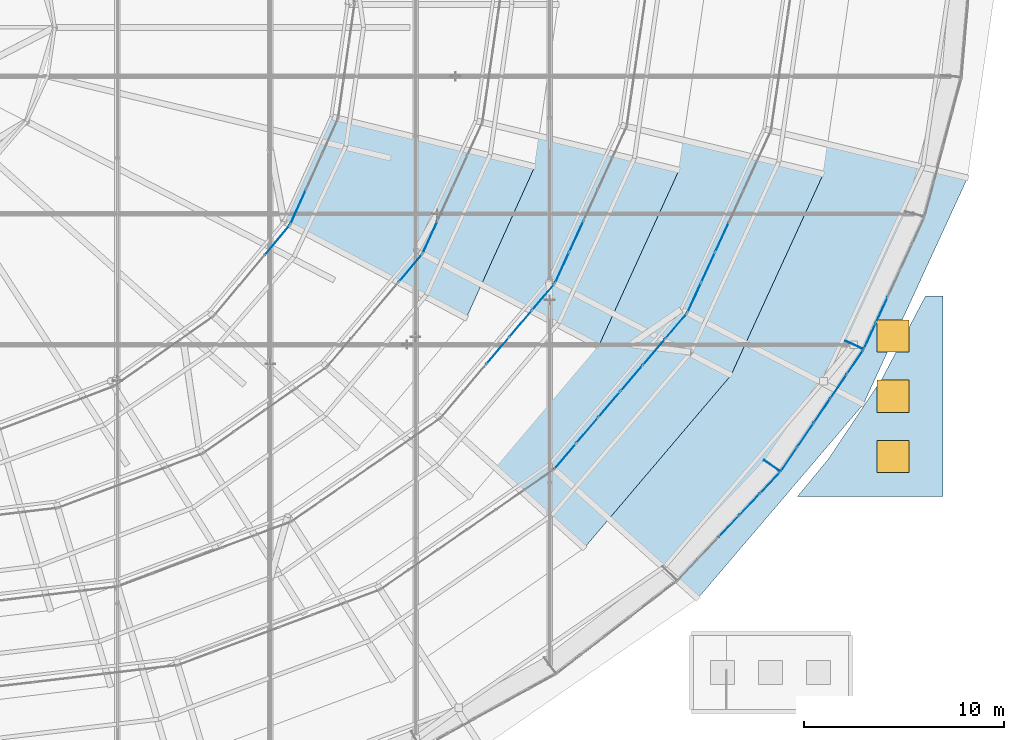
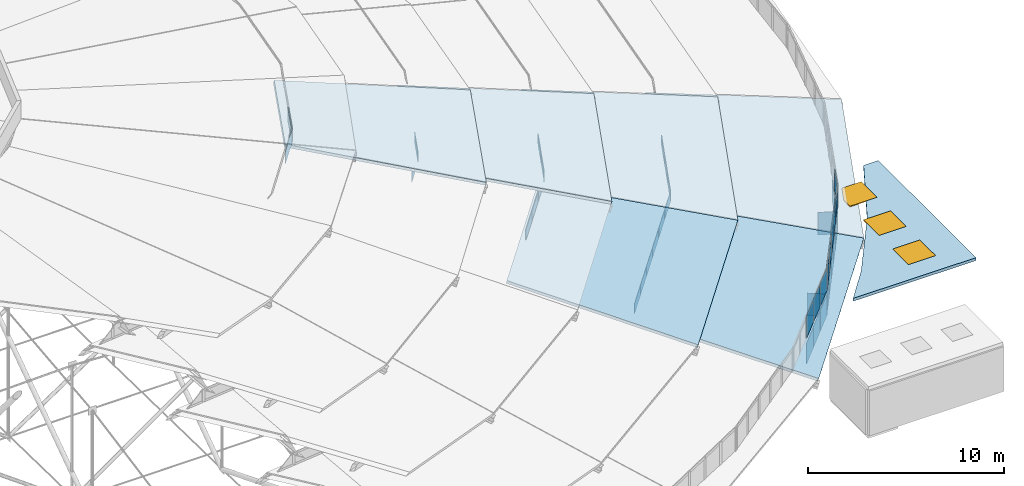
"""IFC4 building model written with IfcOpenShell, lengths in metres."""

from ifc_helpers import new_model, si_unit, direction, frame, origin, origin_2d, place, context, subcontext, project, spatial, polyline, rectangle, outline, extrude, material, layer, layer_set, type_object, element, fill, aggregate, save


model = new_model("IFC4")

# Units and contexts
model_context = context("Model", 3, precision=1e-05, world=origin(), true_north=direction((0.0, 1.0)))
body_context = subcontext(model_context, "Body", "Model", "MODEL_VIEW")
ifc_project = project(units=[si_unit("LENGTHUNIT", "METRE"), si_unit("AREAUNIT", "SQUARE_METRE"), si_unit("VOLUMEUNIT", "CUBIC_METRE"), si_unit("PLANEANGLEUNIT", "RADIAN"), si_unit("MASSUNIT", "GRAM", prefix="KILO")], contexts=[model_context])

# Site, building, storey
site_placement = place(None, origin())
site = spatial("IfcSite", under=ifc_project, at=site_placement, CompositionType="ELEMENT")
building_placement = place(site_placement, origin())
building = spatial("IfcBuilding", under=site, at=building_placement, Name="Glasvene Arena", CompositionType="ELEMENT")
storey_1_placement = place(building_placement, frame((0.0, 0.0, 28.800048828125)))
storey_1 = spatial("IfcBuildingStorey", under=building, at=storey_1_placement, Name="RF", CompositionType="ELEMENT", Elevation=28.800048828125)

# Curtain wall, plates
ifc_material_1 = material(Name="Low-emissivity laminated double glazing", Category="glass")
curtain_wall_type_1 = type_object("IfcCurtainWallType", Name="CW-PET1-1026x75", PredefinedType="USERDEFINED", material=ifc_material_1)
curtain_wall_1_placement = place(storey_1_placement, frame((121.59228515625, 46.342041015625, 0.0)))
curtain_wall_1 = element("IfcCurtainWall", 1, at=curtain_wall_1_placement, inside=storey_1, type_object=curtain_wall_type_1, Name="Petal ring 1-2 clerestory curtain wall 22", ObjectType="CURTAIN WALL", PredefinedType="USERDEFINED")
ifc_layer_1 = layer(ifc_material_1, 0.028076171875)
ifc_layer_set_1 = layer_set([ifc_layer_1], Name="Low-emissivity laminated double glazing")
plate_type_1 = type_object("IfcPlateType", Name="CW-GLZ-28", PredefinedType="CURTAIN_PANEL", material=ifc_layer_set_1)
plate_1_placement = place(storey_1_placement, frame((122.15478515625, 47.002197265625, 2.6298828125), z_axis=(0.0, 0.0, 1.0), x_axis=(0.648445320272, 0.761261234149, 0.0)))
plate_1 = element("IfcPlate", 2, at=plate_1_placement, type_object=plate_type_1, Name="CW-083 panel 1.1", PredefinedType="CURTAIN_PANEL", context=body_context, shape_type="SweptSolid", body=[
    extrude(rectangle(XDim=1.634521484375, YDim=0.028076171875, at=origin_2d()), origin(), (0.0, 0.0, 1.0), 0.64990234375),
])
plate_2_placement = place(storey_1_placement, frame((123.255126953125, 48.294189453125, 2.6298828125), z_axis=(0.0, 0.0, 1.0), x_axis=(0.648445320272, 0.761261234149, 0.0)))
plate_2 = element("IfcPlate", 3, at=plate_2_placement, type_object=plate_type_1, Name="CW-083 panel 2.1", PredefinedType="CURTAIN_PANEL", context=body_context, shape_type="SweptSolid", body=[
    extrude(rectangle(XDim=1.659423828125, YDim=0.028076171875, at=origin_2d()), origin(), (0.0, 0.0, 1.0), 0.64990234375),
])
plate_3_placement = place(storey_1_placement, frame((124.363525390625, 49.595458984375, 2.6298828125), z_axis=(0.0, 0.0, 1.0), x_axis=(0.648445320272, 0.761261234149, 0.0)))
plate_3 = element("IfcPlate", 4, at=plate_3_placement, type_object=plate_type_1, Name="CW-083 panel 3.1", PredefinedType="CURTAIN_PANEL", context=body_context, shape_type="SweptSolid", body=[
    extrude(rectangle(XDim=1.659423828125, YDim=0.028076171875, at=origin_2d()), origin(), (0.0, 0.0, 1.0), 0.64990234375),
])
plate_4_placement = place(storey_1_placement, frame((125.471923828125, 50.896728515625, 2.6298828125), z_axis=(0.0, 0.0, 1.0), x_axis=(0.648445320272, 0.761261234149, 0.0)))
plate_4 = element("IfcPlate", 5, at=plate_4_placement, type_object=plate_type_1, Name="CW-083 panel 4.1", PredefinedType="CURTAIN_PANEL", context=body_context, shape_type="SweptSolid", body=[
    extrude(rectangle(XDim=1.659423828125, YDim=0.028076171875, at=origin_2d()), origin(), (0.0, 0.0, 1.0), 0.64990234375),
])
plate_5_placement = place(storey_1_placement, frame((126.58056640625, 52.197998046875, 2.6298828125), z_axis=(0.0, 0.0, 1.0), x_axis=(0.648445320272, 0.761261234149, 0.0)))
plate_5 = element("IfcPlate", 6, at=plate_5_placement, type_object=plate_type_1, Name="CW-083 panel 5.1", PredefinedType="CURTAIN_PANEL", context=body_context, shape_type="SweptSolid", body=[
    extrude(rectangle(XDim=1.659423828125, YDim=0.028076171875, at=origin_2d()), origin(), (0.0, 0.0, 1.0), 0.64990234375),
])
plate_6_placement = place(storey_1_placement, frame((127.680908203125, 53.48974609375, 2.6298828125), z_axis=(0.0, 0.0, 1.0), x_axis=(0.648445320272, 0.761261234149, 0.0)))
plate_6 = element("IfcPlate", 7, at=plate_6_placement, type_object=plate_type_1, Name="CW-083 panel 6.1", PredefinedType="CURTAIN_PANEL", context=body_context, shape_type="SweptSolid", body=[
    extrude(rectangle(XDim=1.634521484375, YDim=0.028076171875, at=origin_2d()), origin(), (0.0, 0.0, 1.0), 0.64990234375),
])
aggregate(curtain_wall_1, [plate_1, plate_2, plate_3, plate_4, plate_5, plate_6])

curtain_wall_type_2 = type_object("IfcCurtainWallType", Name="CW-PET1-1001x75", PredefinedType="USERDEFINED", material=ifc_material_1)
curtain_wall_2_placement = place(storey_1_placement, frame((128.2431640625, 54.14990234375, 0.0)))
curtain_wall_2 = element("IfcCurtainWall", 8, at=curtain_wall_2_placement, inside=storey_1, type_object=curtain_wall_type_2, Name="Petal ring 1-2 clerestory curtain wall 23", ObjectType="CURTAIN WALL", PredefinedType="USERDEFINED")
plate_7_placement = place(storey_1_placement, frame((128.596923828125, 54.9189453125, 2.6298828125), z_axis=(0.0, 0.0, 1.0), x_axis=(0.41776127596, 0.908556831634, 0.0)))
plate_7 = element("IfcPlate", 9, at=plate_7_placement, type_object=plate_type_1, Name="CW-082 panel 1.1", PredefinedType="CURTAIN_PANEL", context=body_context, shape_type="SweptSolid", body=[
    extrude(rectangle(XDim=1.593017578125, YDim=0.028076171875, at=origin_2d()), origin(), (0.0, 0.0, 1.0), 0.64990234375),
])
plate_8_placement = place(storey_1_placement, frame((129.288330078125, 56.423095703125, 2.6298828125), z_axis=(0.0, 0.0, 1.0), x_axis=(0.41776127596, 0.908556831634, 0.0)))
plate_8 = element("IfcPlate", 10, at=plate_8_placement, type_object=plate_type_1, Name="CW-082 panel 2.1", PredefinedType="CURTAIN_PANEL", context=body_context, shape_type="SweptSolid", body=[
    extrude(rectangle(XDim=1.617919921875, YDim=0.028076171875, at=origin_2d()), origin(), (0.0, 0.0, 1.0), 0.64990234375),
])
plate_9_placement = place(storey_1_placement, frame((129.985107421875, 57.9384765625, 2.6298828125), z_axis=(0.0, 0.0, 1.0), x_axis=(0.41776127596, 0.908556831634, 0.0)))
plate_9 = element("IfcPlate", 11, at=plate_9_placement, type_object=plate_type_1, Name="CW-082 panel 3.1", PredefinedType="CURTAIN_PANEL", context=body_context, shape_type="SweptSolid", body=[
    extrude(rectangle(XDim=1.617919921875, YDim=0.028076171875, at=origin_2d()), origin(), (0.0, 0.0, 1.0), 0.64990234375),
])
aggregate(curtain_wall_2, [plate_7, plate_8, plate_9])

curtain_wall_type_3 = type_object("IfcCurtainWallType", Name="CW-PET2-882x75", PredefinedType="USERDEFINED", material=ifc_material_1)
curtain_wall_3_placement = place(storey_1_placement, frame((115.93505859375, 48.904296875, 0.0)))
curtain_wall_3 = element("IfcCurtainWall", 12, at=curtain_wall_3_placement, inside=storey_1, type_object=curtain_wall_type_3, Name="Petal ring 2-3 clerestory curtain wall 22", ObjectType="CURTAIN WALL", PredefinedType="USERDEFINED")
plate_10_placement = place(storey_1_placement, frame((118.78759765625, 52.2646484375, 5.22998046875), z_axis=(0.0, 0.0, 1.0), x_axis=(0.647166893632, 0.762348353305, 0.0)))
plate_10 = element("IfcPlate", 13, at=plate_10_placement, type_object=plate_type_1, Name="CW-089 panel 3.1", PredefinedType="CURTAIN_PANEL", context=body_context, shape_type="SweptSolid", body=[
    extrude(rectangle(XDim=1.713134765625, YDim=0.028076171875, at=origin_2d()), origin(), (0.0, 0.0, 1.0), 0.64990234375),
])
plate_11_placement = place(storey_1_placement, frame((119.9287109375, 53.60888671875, 5.22998046875), z_axis=(0.0, 0.0, 1.0), x_axis=(0.647166893632, 0.762348353305, 0.0)))
plate_11 = element("IfcPlate", 14, at=plate_11_placement, type_object=plate_type_1, Name="CW-089 panel 4.1", PredefinedType="CURTAIN_PANEL", context=body_context, shape_type="SweptSolid", body=[
    extrude(rectangle(XDim=1.713134765625, YDim=0.028076171875, at=origin_2d()), origin(), (0.0, 0.0, 1.0), 0.64990234375),
])
plate_12_placement = place(storey_1_placement, frame((121.061767578125, 54.943359375, 5.22998046875), z_axis=(0.0, 0.0, 1.0), x_axis=(0.647166893632, 0.762348353305, 0.0)))
plate_12 = element("IfcPlate", 15, at=plate_12_placement, type_object=plate_type_1, Name="CW-089 panel 5.1", PredefinedType="CURTAIN_PANEL", context=body_context, shape_type="SweptSolid", body=[
    extrude(rectangle(XDim=1.688232421875, YDim=0.028076171875, at=origin_2d()), origin(), (0.0, 0.0, 1.0), 0.64990234375),
])
aggregate(curtain_wall_3, [plate_10, plate_11, plate_12])

curtain_wall_type_4 = type_object("IfcCurtainWallType", Name="CW-PET2-861x75", PredefinedType="USERDEFINED", material=ifc_material_1)
curtain_wall_4_placement = place(storey_1_placement, frame((121.640380859375, 55.625, 0.0)))
curtain_wall_4 = element("IfcCurtainWall", 16, at=curtain_wall_4_placement, inside=storey_1, type_object=curtain_wall_type_4, Name="Petal ring 2-3 clerestory curtain wall 23", ObjectType="CURTAIN WALL", PredefinedType="USERDEFINED")
plate_13_placement = place(storey_1_placement, frame((122.004150390625, 56.4189453125, 5.22998046875), z_axis=(0.0, 0.0, 1.0), x_axis=(0.416591913749, 0.909093602111, 0.0)))
plate_13 = element("IfcPlate", 17, at=plate_13_placement, type_object=plate_type_1, Name="CW-088 panel 1.1", PredefinedType="CURTAIN_PANEL", context=body_context, shape_type="SweptSolid", body=[
    extrude(rectangle(XDim=1.646728515625, YDim=0.028076171875, at=origin_2d()), origin(), (0.0, 0.0, 1.0), 0.64990234375),
])
plate_14_placement = place(storey_1_placement, frame((122.71630859375, 57.972900390625, 5.22998046875), z_axis=(0.0, 0.0, 1.0), x_axis=(0.416591913749, 0.909093602111, 0.0)))
plate_14 = element("IfcPlate", 18, at=plate_14_placement, type_object=plate_type_1, Name="CW-088 panel 2.1", PredefinedType="CURTAIN_PANEL", context=body_context, shape_type="SweptSolid", body=[
    extrude(rectangle(XDim=1.671875, YDim=0.028076171875, at=origin_2d()), origin(), (0.0, 0.0, 1.0), 0.64990234375),
])
aggregate(curtain_wall_4, [plate_13, plate_14])

# Curtain wall, plate
curtain_wall_type_5 = type_object("IfcCurtainWallType", Name="CW-PET3-737x75", PredefinedType="USERDEFINED", material=ifc_material_1)
curtain_wall_5_placement = place(storey_1_placement, frame((110.27783203125, 51.466796875, 0.0)))
curtain_wall_5 = element("IfcCurtainWall", 19, at=curtain_wall_5_placement, inside=storey_1, type_object=curtain_wall_type_5, Name="Petal ring 3-4 clerestory curtain wall 22", ObjectType="CURTAIN WALL", PredefinedType="USERDEFINED")
plate_15_placement = place(storey_1_placement, frame((114.4345703125, 56.38623046875, 7.8798828125), z_axis=(0.0, 0.0, 1.0), x_axis=(0.645393801566, 0.763850012044, 0.0)))
plate_15 = element("IfcPlate", 20, at=plate_15_placement, type_object=plate_type_1, Name="CW-095 panel 4.1", PredefinedType="CURTAIN_PANEL", context=body_context, shape_type="SweptSolid", body=[
    extrude(rectangle(XDim=1.768798828125, YDim=0.028076171875, at=origin_2d()), origin(), (0.0, 0.0, 1.0), 0.64990234375),
])
aggregate(curtain_wall_5, [plate_15])

curtain_wall_type_6 = type_object("IfcCurtainWallType", Name="CW-PET3-721x75", PredefinedType="USERDEFINED", material=ifc_material_1)
curtain_wall_6_placement = place(storey_1_placement, frame((115.03759765625, 57.10009765625, 0.0)))
curtain_wall_6 = element("IfcCurtainWall", 21, at=curtain_wall_6_placement, inside=storey_1, type_object=curtain_wall_type_6, Name="Petal ring 3-4 clerestory curtain wall 23", ObjectType="CURTAIN WALL", PredefinedType="USERDEFINED")
plate_16_placement = place(storey_1_placement, frame((115.416748046875, 57.931396484375, 7.8798828125), z_axis=(0.0, 0.0, 1.0), x_axis=(0.414967716717, 0.909836135842, 0.0)))
plate_16 = element("IfcPlate", 22, at=plate_16_placement, type_object=plate_type_1, Name="CW-094 panel 1.1", PredefinedType="CURTAIN_PANEL", context=body_context, shape_type="SweptSolid", body=[
    extrude(rectangle(XDim=1.7275390625, YDim=0.028076171875, at=origin_2d()), origin(), (0.0, 0.0, 1.0), 0.64990234375),
])
aggregate(curtain_wall_6, [plate_16])

curtain_wall_type_7 = type_object("IfcCurtainWallType", Name="CW-PET4-594x92", PredefinedType="USERDEFINED", material=ifc_material_1)
curtain_wall_7_placement = place(storey_1_placement, frame((104.62060546875, 53.99365234375, 0.0)))
curtain_wall_7 = element("IfcCurtainWall", 23, at=curtain_wall_7_placement, inside=storey_1, type_object=curtain_wall_type_7, Name="Petal ring 4-5 clerestory curtain wall 22", ObjectType="CURTAIN WALL", PredefinedType="USERDEFINED")
plate_17_placement = place(storey_1_placement, frame((107.791015625, 57.781005859375, 10.580078125), z_axis=(0.0, 0.0, 1.0), x_axis=(0.64187958935, 0.766805446496, 0.0)))
plate_17 = element("IfcPlate", 24, at=plate_17_placement, type_object=plate_type_1, Name="CW-101 panel 3.1", PredefinedType="CURTAIN_PANEL", context=body_context, shape_type="SweptSolid", body=[
    extrude(rectangle(XDim=1.90576171875, YDim=0.028076171875, at=origin_2d()), origin(), (0.0, 0.0, 1.0), 0.81591796875),
])
aggregate(curtain_wall_7, [plate_17])

curtain_wall_type_8 = type_object("IfcCurtainWallType", Name="CW-PET4-582x92", PredefinedType="USERDEFINED", material=ifc_material_1)
curtain_wall_8_placement = place(storey_1_placement, frame((108.4345703125, 58.550048828125, 0.0)))
curtain_wall_8 = element("IfcCurtainWall", 25, at=curtain_wall_8_placement, inside=storey_1, type_object=curtain_wall_type_8, Name="Petal ring 4-5 clerestory curtain wall 23", ObjectType="CURTAIN WALL", PredefinedType="USERDEFINED")
plate_18_placement = place(storey_1_placement, frame((108.83935546875, 59.44580078125, 10.580078125), z_axis=(0.0, 0.0, 1.0), x_axis=(0.411778142566, 0.911284127649, 0.0)))
plate_18 = element("IfcPlate", 26, at=plate_18_placement, type_object=plate_type_1, Name="CW-100 panel 1.1", PredefinedType="CURTAIN_PANEL", context=body_context, shape_type="SweptSolid", body=[
    extrude(rectangle(XDim=1.865966796875, YDim=0.028076171875, at=origin_2d()), origin(), (0.0, 0.0, 1.0), 0.81591796875),
])
aggregate(curtain_wall_8, [plate_18])

# Curtain wall, plates
curtain_wall_type_9 = type_object("IfcCurtainWallType", Name="CW-DRUM-749x310", PredefinedType="USERDEFINED", material=ifc_material_1)
curtain_wall_9_placement = place(storey_1_placement, frame((127.744140625, 40.791259765625, 0.0)))
curtain_wall_9 = element("IfcCurtainWall", 27, at=curtain_wall_9_placement, inside=storey_1, type_object=curtain_wall_type_9, Name="Crown compression-ring fascia curtain wall 36", ObjectType="CURTAIN WALL", PredefinedType="USERDEFINED")
ifc_material_2 = material(Name="Insulated shadow-box spandrel panel")
ifc_layer_2 = layer(ifc_material_2, 0.02392578125)
ifc_layer_set_2 = layer_set([ifc_layer_2], Name="Insulated shadow-box spandrel panel")
plate_type_2 = type_object("IfcPlateType", Name="CW-SPN-24", PredefinedType="CURTAIN_PANEL", material=ifc_layer_set_2)
plate_19_placement = place(storey_1_placement, frame((130.320068359375, 43.5087890625, -1.330078125), z_axis=(0.0, 0.0, 1.0), x_axis=(0.687924637344, 0.725782125252, 0.0)))
plate_19 = element("IfcPlate", 28, at=plate_19_placement, type_object=plate_type_2, Name="CW-075 panel 3.1", PredefinedType="CURTAIN_PANEL", context=body_context, shape_type="SweptSolid", body=[
    extrude(rectangle(XDim=1.44775390625, YDim=0.02392578125, at=origin_2d()), origin(), (0.0, 0.0, 1.0), 1.324951171875),
])
plate_20_placement = place(storey_1_placement, frame((130.320068359375, 43.5087890625, 0.044921875), z_axis=(0.0, 0.0, 1.0), x_axis=(0.687924637344, 0.725782125252, 0.0)))
plate_20 = element("IfcPlate", 29, at=plate_20_placement, type_object=plate_type_2, Name="CW-075 panel 3.2", PredefinedType="CURTAIN_PANEL", context=body_context, shape_type="SweptSolid", body=[
    extrude(rectangle(XDim=1.44775390625, YDim=0.02392578125, at=origin_2d()), origin(), (0.0, 0.0, 1.0), 1.625),
])
plate_21_placement = place(storey_1_placement, frame((131.350341796875, 44.595947265625, -1.330078125), z_axis=(0.0, 0.0, 1.0), x_axis=(0.687924637344, 0.725782125252, 0.0)))
plate_21 = element("IfcPlate", 30, at=plate_21_placement, type_object=plate_type_2, Name="CW-075 panel 4.1", PredefinedType="CURTAIN_PANEL", context=body_context, shape_type="SweptSolid", body=[
    extrude(rectangle(XDim=1.44775390625, YDim=0.02392578125, at=origin_2d()), origin(), (0.0, 0.0, 1.0), 1.324951171875),
])
plate_22_placement = place(storey_1_placement, frame((131.350341796875, 44.595947265625, 0.044921875), z_axis=(0.0, 0.0, 1.0), x_axis=(0.687924637344, 0.725782125252, 0.0)))
plate_22 = element("IfcPlate", 31, at=plate_22_placement, type_object=plate_type_2, Name="CW-075 panel 4.2", PredefinedType="CURTAIN_PANEL", context=body_context, shape_type="SweptSolid", body=[
    extrude(rectangle(XDim=1.44775390625, YDim=0.02392578125, at=origin_2d()), origin(), (0.0, 0.0, 1.0), 1.625),
])
plate_23_placement = place(storey_1_placement, frame((132.3720703125, 45.673828125, -1.330078125), z_axis=(0.0, 0.0, 1.0), x_axis=(0.687924637344, 0.725782125252, 0.0)))
plate_23 = element("IfcPlate", 32, at=plate_23_placement, type_object=plate_type_2, Name="CW-075 panel 5.1", PredefinedType="CURTAIN_PANEL", context=body_context, shape_type="SweptSolid", body=[
    extrude(rectangle(XDim=1.422607421875, YDim=0.02392578125, at=origin_2d()), origin(), (0.0, 0.0, 1.0), 1.324951171875),
])
plate_24_placement = place(storey_1_placement, frame((132.3720703125, 45.673828125, 0.044921875), z_axis=(0.0, 0.0, 1.0), x_axis=(0.687924637344, 0.725782125252, 0.0)))
plate_24 = element("IfcPlate", 33, at=plate_24_placement, type_object=plate_type_2, Name="CW-075 panel 5.2", PredefinedType="CURTAIN_PANEL", context=body_context, shape_type="SweptSolid", body=[
    extrude(rectangle(XDim=1.422607421875, YDim=0.02392578125, at=origin_2d()), origin(), (0.0, 0.0, 1.0), 1.625),
])
aggregate(curtain_wall_9, [plate_19, plate_20, plate_21, plate_22, plate_23, plate_24])

curtain_wall_type_10 = type_object("IfcCurtainWallType", Name="CW-DRUM-737x310", PredefinedType="USERDEFINED", material=ifc_material_1)
curtain_wall_10_placement = place(storey_1_placement, frame((132.895751953125, 46.226318359375, 0.0)))
curtain_wall_10 = element("IfcCurtainWall", 34, at=curtain_wall_10_placement, inside=storey_1, type_object=curtain_wall_type_10, Name="Crown compression-ring fascia curtain wall 37", ObjectType="CURTAIN WALL", PredefinedType="USERDEFINED")
plate_25_placement = place(storey_1_placement, frame((133.3173828125, 46.84619140625, -1.330078125), z_axis=(0.0, 0.0, 1.0), x_axis=(0.56235418457, 0.826896469394, 0.0)))
plate_25 = element("IfcPlate", 35, at=plate_25_placement, type_object=plate_type_2, Name="CW-074 panel 1.1", PredefinedType="CURTAIN_PANEL", context=body_context, shape_type="SweptSolid", body=[
    extrude(rectangle(XDim=1.39892578125, YDim=0.02392578125, at=origin_2d()), origin(), (0.0, 0.0, 1.0), 1.324951171875),
])
plate_26_placement = place(storey_1_placement, frame((133.3173828125, 46.84619140625, 0.044921875), z_axis=(0.0, 0.0, 1.0), x_axis=(0.56235418457, 0.826896469394, 0.0)))
plate_26 = element("IfcPlate", 36, at=plate_26_placement, type_object=plate_type_2, Name="CW-074 panel 1.2", PredefinedType="CURTAIN_PANEL", context=body_context, shape_type="SweptSolid", body=[
    extrude(rectangle(XDim=1.39892578125, YDim=0.02392578125, at=origin_2d()), origin(), (0.0, 0.0, 1.0), 1.625),
])
plate_27_placement = place(storey_1_placement, frame((134.13916015625, 48.0546875, -1.330078125), z_axis=(0.0, 0.0, 1.0), x_axis=(0.56235418457, 0.826896469394, 0.0)))
plate_27 = element("IfcPlate", 37, at=plate_27_placement, type_object=plate_type_2, Name="CW-074 panel 2.1", PredefinedType="CURTAIN_PANEL", context=body_context, shape_type="SweptSolid", body=[
    extrude(rectangle(XDim=1.424072265625, YDim=0.02392578125, at=origin_2d()), origin(), (0.0, 0.0, 1.0), 1.324951171875),
])
plate_28_placement = place(storey_1_placement, frame((134.13916015625, 48.0546875, 0.044921875), z_axis=(0.0, 0.0, 1.0), x_axis=(0.56235418457, 0.826896469394, 0.0)))
plate_28 = element("IfcPlate", 38, at=plate_28_placement, type_object=plate_type_2, Name="CW-074 panel 2.2", PredefinedType="CURTAIN_PANEL", context=body_context, shape_type="SweptSolid", body=[
    extrude(rectangle(XDim=1.424072265625, YDim=0.02392578125, at=origin_2d()), origin(), (0.0, 0.0, 1.0), 1.625),
])
plate_29_placement = place(storey_1_placement, frame((134.968017578125, 49.2734375, -1.330078125), z_axis=(0.0, 0.0, 1.0), x_axis=(0.56235418457, 0.826896469394, 0.0)))
plate_29 = element("IfcPlate", 39, at=plate_29_placement, type_object=plate_type_2, Name="CW-074 panel 3.1", PredefinedType="CURTAIN_PANEL", context=body_context, shape_type="SweptSolid", body=[
    extrude(rectangle(XDim=1.424072265625, YDim=0.02392578125, at=origin_2d()), origin(), (0.0, 0.0, 1.0), 1.324951171875),
])
plate_30_placement = place(storey_1_placement, frame((134.968017578125, 49.2734375, 0.044921875), z_axis=(0.0, 0.0, 1.0), x_axis=(0.56235418457, 0.826896469394, 0.0)))
plate_30 = element("IfcPlate", 40, at=plate_30_placement, type_object=plate_type_2, Name="CW-074 panel 3.2", PredefinedType="CURTAIN_PANEL", context=body_context, shape_type="SweptSolid", body=[
    extrude(rectangle(XDim=1.424072265625, YDim=0.02392578125, at=origin_2d()), origin(), (0.0, 0.0, 1.0), 1.625),
])
plate_31_placement = place(storey_1_placement, frame((135.797119140625, 50.492431640625, -1.330078125), z_axis=(0.0, 0.0, 1.0), x_axis=(0.56235418457, 0.826896469394, 0.0)))
plate_31 = element("IfcPlate", 41, at=plate_31_placement, type_object=plate_type_2, Name="CW-074 panel 4.1", PredefinedType="CURTAIN_PANEL", context=body_context, shape_type="SweptSolid", body=[
    extrude(rectangle(XDim=1.424072265625, YDim=0.02392578125, at=origin_2d()), origin(), (0.0, 0.0, 1.0), 1.324951171875),
])
plate_32_placement = place(storey_1_placement, frame((135.797119140625, 50.492431640625, 0.044921875), z_axis=(0.0, 0.0, 1.0), x_axis=(0.56235418457, 0.826896469394, 0.0)))
plate_32 = element("IfcPlate", 42, at=plate_32_placement, type_object=plate_type_2, Name="CW-074 panel 4.2", PredefinedType="CURTAIN_PANEL", context=body_context, shape_type="SweptSolid", body=[
    extrude(rectangle(XDim=1.424072265625, YDim=0.02392578125, at=origin_2d()), origin(), (0.0, 0.0, 1.0), 1.625),
])
plate_33_placement = place(storey_1_placement, frame((136.618896484375, 51.700927734375, -1.330078125), z_axis=(0.0, 0.0, 1.0), x_axis=(0.56235418457, 0.826896469394, 0.0)))
plate_33 = element("IfcPlate", 43, at=plate_33_placement, type_object=plate_type_2, Name="CW-074 panel 5.1", PredefinedType="CURTAIN_PANEL", context=body_context, shape_type="SweptSolid", body=[
    extrude(rectangle(XDim=1.39892578125, YDim=0.02392578125, at=origin_2d()), origin(), (0.0, 0.0, 1.0), 1.324951171875),
])
plate_34_placement = place(storey_1_placement, frame((136.618896484375, 51.700927734375, 0.044921875), z_axis=(0.0, 0.0, 1.0), x_axis=(0.56235418457, 0.826896469394, 0.0)))
plate_34 = element("IfcPlate", 44, at=plate_34_placement, type_object=plate_type_2, Name="CW-074 panel 5.2", PredefinedType="CURTAIN_PANEL", context=body_context, shape_type="SweptSolid", body=[
    extrude(rectangle(XDim=1.39892578125, YDim=0.02392578125, at=origin_2d()), origin(), (0.0, 0.0, 1.0), 1.625),
])
aggregate(curtain_wall_10, [plate_25, plate_26, plate_27, plate_28, plate_29, plate_30, plate_31, plate_32, plate_33, plate_34])

curtain_wall_type_11 = type_object("IfcCurtainWallType", Name="CW-DRUM-727x310", PredefinedType="USERDEFINED", material=ifc_material_1)
curtain_wall_11_placement = place(storey_1_placement, frame((137.040283203125, 52.32080078125, 0.0)))
curtain_wall_11 = element("IfcCurtainWall", 45, at=curtain_wall_11_placement, inside=storey_1, type_object=curtain_wall_type_11, Name="Crown compression-ring fascia curtain wall 38", ObjectType="CURTAIN WALL", PredefinedType="USERDEFINED")
plate_35_placement = place(storey_1_placement, frame((137.34912109375, 52.992431640625, -1.330078125), z_axis=(0.0, 0.0, 1.0), x_axis=(0.417660752738, 0.908603046232, 0.0)))
plate_35 = element("IfcPlate", 46, at=plate_35_placement, type_object=plate_type_2, Name="CW-073 panel 1.1", PredefinedType="CURTAIN_PANEL", context=body_context, shape_type="SweptSolid", body=[
    extrude(rectangle(XDim=1.378662109375, YDim=0.02392578125, at=origin_2d()), origin(), (0.0, 0.0, 1.0), 1.324951171875),
])
plate_36_placement = place(storey_1_placement, frame((137.34912109375, 52.992431640625, 0.044921875), z_axis=(0.0, 0.0, 1.0), x_axis=(0.417660752738, 0.908603046232, 0.0)))
plate_36 = element("IfcPlate", 47, at=plate_36_placement, type_object=plate_type_2, Name="CW-073 panel 1.2", PredefinedType="CURTAIN_PANEL", context=body_context, shape_type="SweptSolid", body=[
    extrude(rectangle(XDim=1.378662109375, YDim=0.02392578125, at=origin_2d()), origin(), (0.0, 0.0, 1.0), 1.625),
])
plate_37_placement = place(storey_1_placement, frame((137.951171875, 54.3017578125, -1.330078125), z_axis=(0.0, 0.0, 1.0), x_axis=(0.417660752738, 0.908603046232, 0.0)))
plate_37 = element("IfcPlate", 48, at=plate_37_placement, type_object=plate_type_2, Name="CW-073 panel 2.1", PredefinedType="CURTAIN_PANEL", context=body_context, shape_type="SweptSolid", body=[
    extrude(rectangle(XDim=1.403564453125, YDim=0.02392578125, at=origin_2d()), origin(), (0.0, 0.0, 1.0), 1.324951171875),
])
aggregate(curtain_wall_11, [plate_35, plate_36, plate_37])

# Plates
ifc_material_3 = material(Name="Steel S355J2", Category="steel")
ifc_layer_3 = layer(ifc_material_3, 0.035888671875)
ifc_layer_set_3 = layer_set([ifc_layer_3], Name="Steel S355J2")
plate_type_3 = type_object("IfcPlateType", Name="PL-CAP-36", PredefinedType="SHEET", material=ifc_layer_set_3)
for number, where, z_axis, x_axis, name in (
    (49, (132.45068359375, 46.5498046875, -1.409912109375), (0.0, 0.0, 1.0), (0.562804927695, 0.826589749127, 0.0), "Ring beam node diaphragm cap plate ND-37"),
    (50, (136.55029296875, 52.5703125, -1.409912109375), (0.0, 0.0, 1.0), (0.418025632026, 0.908435232127, 0.0), "Ring beam node diaphragm cap plate ND-38"),
):
    element("IfcPlate", number, at=place(storey_1_placement, frame(where, z_axis=z_axis, x_axis=x_axis)), inside=storey_1, type_object=plate_type_3, Name=name, PredefinedType="SHEET", context=body_context, shape_type="SweptSolid", body=[
        extrude(rectangle(XDim=0.035888671875, YDim=0.919921875, at=origin_2d()), origin(), (0.0, 0.0, 1.0), 1.419921875),
    ])

# Roof, slabs
ifc_material_4 = material(Name="Smooth matte white insulated roof panel")
ifc_layer_4 = layer(ifc_material_4, 0.179931640625)
ifc_layer_set_4 = layer_set([ifc_layer_4], Name="Smooth matte white insulated roof panel")
roof_type = type_object("IfcRoofType", Name="RF-PETAL-ASSY", PredefinedType="PAVILION_ROOF", material=ifc_layer_set_4)
roof_1_placement = place(storey_1_placement, frame((92.0, 73.0, 0.0)))
roof_1 = element("IfcRoof", 51, at=roof_1_placement, inside=storey_1, type_object=roof_type, Name="Shifted white elliptical petal roof ring 1", PredefinedType="PAVILION_ROOF")
ifc_material_5 = material(Name="Precast concrete C50/60", Category="concrete")
ifc_layer_5 = layer(ifc_material_5, 0.179931640625)
ifc_layer_set_5 = layer_set([ifc_layer_5], Name="Precast concrete C50/60")
slab_type = type_object("IfcSlabType", Name="SL-PETAL-180", PredefinedType="ROOF", material=ifc_layer_set_5)
slab_1_placement = place(storey_1_placement, frame((128.76953125, 39.907470703125, 0.0), z_axis=(0.184821301548, -0.157573849317, 0.970057507834), x_axis=(0.64878442939, 0.760972249285, 1.48321e-07)))
slab_1 = element("IfcSlab", 52, at=slab_1_placement, type_object=slab_type, Name="White petal roof slab ring 1 bay 22", PredefinedType="ROOF", context=body_context, shape_type="SweptSolid", body=[
    extrude(outline(polyline([(0.0, 0.0), (12.737161776082907, 0.0), (10.433077938721475, 10.293339939019024), (0.26797575672896645, 10.293353925118693), (0.0, 0.0)])), origin(), (0.0, 0.0, -1.0), 0.179931640625),
])
slab_2_placement = place(storey_1_placement, frame((137.033203125, 49.60009765625, 0.0), z_axis=(0.21553515257, -0.099199737003, 0.971444290829), x_axis=(0.418088722447, 0.908406197778, 8.64003e-07)))
slab_2 = element("IfcSlab", 53, at=slab_2_placement, type_object=slab_type, Name="White petal roof slab ring 1 bay 23", PredefinedType="ROOF", context=body_context, shape_type="SweptSolid", body=[
    extrude(outline(polyline([(0.0, 0.0), (12.425177532204613, 0.0), (10.406666894711167, 10.536581165941051), (0.4902982023239435, 10.53666252199784), (0.0, 0.0)])), origin(), (0.0, 0.0, -1.0), 0.179931640625),
])
aggregate(roof_1, [slab_1, slab_2])

roof_2_placement = place(storey_1_placement, frame((90.550048828125, 71.85009765625, 2.550048828125)))
roof_2 = element("IfcRoof", 54, at=roof_2_placement, inside=storey_1, type_object=roof_type, Name="Shifted white elliptical petal roof ring 2", PredefinedType="PAVILION_ROOF")
slab_3_placement = place(storey_1_placement, frame((123.1123046875, 42.434326171875, 2.550048828125), z_axis=(0.188296729569, -0.15993764558, 0.969001698223), x_axis=(0.647378825755, 0.76216839082, 1.05553e-07)))
slab_3 = element("IfcSlab", 55, at=slab_3_placement, type_object=slab_type, Name="White petal roof slab ring 2 bay 22", PredefinedType="ROOF", context=body_context, shape_type="SweptSolid", body=[
    extrude(outline(polyline([(0.0, 0.0), (11.304224319828826, 1.7763568394002505e-15), (9.032157063579707, 10.320833133968184), (0.30557027181685925, 10.320841692094389), (0.0, 0.0)])), origin(), (0.0, 0.0, -1.0), 0.179931640625),
])
slab_4_placement = place(storey_1_placement, frame((130.430419921875, 51.050048828125, 2.550048828125), z_axis=(0.219584790976, -0.100688763464, 0.970383580078), x_axis=(0.416815161764, 0.908991265592, -1.096102e-06)))
slab_4 = element("IfcSlab", 56, at=slab_4_placement, type_object=slab_type, Name="White petal roof slab ring 2 bay 23", PredefinedType="ROOF", context=body_context, shape_type="SweptSolid", body=[
    extrude(outline(polyline([(0.0, 0.0), (11.03746605658737, 0.0), (9.041629253349372, 10.555211350301985), (0.5208387115804701, 10.555122606227757), (0.0, 0.0)])), origin(), (0.0, 0.0, -1.0), 0.179931640625),
])
aggregate(roof_2, [slab_3, slab_4])

# Roof, slab
roof_3_placement = place(storey_1_placement, frame((89.10009765625, 70.699951171875, 5.14990234375)))
roof_3 = element("IfcRoof", 57, at=roof_3_placement, inside=storey_1, type_object=roof_type, Name="Shifted white elliptical petal roof ring 3", PredefinedType="PAVILION_ROOF")
slab_5_placement = place(storey_1_placement, frame((123.82763671875, 52.5, 5.14990234375), z_axis=(0.223672413798, -0.102062929851, 0.96930583907), x_axis=(0.415123845805, 0.909764910645, 1.56776e-06)))
slab_5 = element("IfcSlab", 58, at=slab_5_placement, type_object=slab_type, Name="White petal roof slab ring 3 bay 23", PredefinedType="ROOF", context=body_context, shape_type="SweptSolid", body=[
    extrude(outline(polyline([(0.0, 0.0), (9.649801875943824, -4.440892098500626e-16), (7.683787850400673, 10.575555299574932), (0.5607727030250234, 10.575662254612915), (0.0, 0.0)])), origin(), (0.0, 0.0, -1.0), 0.179931640625),
])
aggregate(roof_3, [slab_5])

roof_4_placement = place(storey_1_placement, frame((87.64990234375, 69.550048828125, 7.800048828125)))
roof_4 = element("IfcRoof", 59, at=roof_4_placement, inside=storey_1, type_object=roof_type, Name="Shifted white elliptical petal roof ring 4", PredefinedType="PAVILION_ROOF")
slab_6_placement = place(storey_1_placement, frame((117.224853515625, 53.89990234375, 7.800048828125), z_axis=(0.227711175526, -0.102908186119, 0.968275542276), x_axis=(0.411823514742, 0.911263624153, -3.40826e-07)))
slab_6 = element("IfcSlab", 60, at=slab_6_placement, type_object=slab_type, Name="White petal roof slab ring 4 bay 23", PredefinedType="ROOF", context=body_context, shape_type="SweptSolid", body=[
    extrude(outline(polyline([(0.0, 0.0), (8.284180741566423, 4.440892098500626e-16), (6.377033163772915, 10.604499448294797), (0.6401913336562378, 10.604480324598004), (0.0, 0.0)])), origin(), (0.0, 0.0, -1.0), 0.179931640625),
])
aggregate(roof_4, [slab_6])

# Slab, openings
slab_7_placement = place(storey_1_placement, frame((138.440185546875, 50.44482421875, 0.0)))
slab_7 = element("IfcSlab", 61, at=slab_7_placement, inside=storey_1, type_object=slab_type, Name="Core C4 South-East roof skylight deck", PredefinedType="ROOF", context=body_context, shape_type="SweptSolid", body=[
    extrude(outline(polyline([(-3.111083984375, -3.521728515625), (-0.66015625, 0.1572265625), (-0.66015625, -1.164794921875), (0.77978515625, -1.164794921875), (0.77978515625, 0.275146484375), (-0.581787109375, 0.275146484375), (-0.48046875, 0.42724609375), (0.26025390625, 1.835205078125), (0.77978515625, 1.835205078125), (0.77978515625, 2.823974609375), (1.689697265625, 4.55517578125), (2.559814453125, 4.55517578125), (2.559814453125, -5.44482421875), (-4.69580078125, -5.44482421875), (-3.111083984375, -3.521728515625)]), holes=[polyline([(-0.66015625, -4.164794921875), (0.77978515625, -4.164794921875), (0.77978515625, -2.724853515625), (-0.66015625, -2.724853515625), (-0.66015625, -4.164794921875)])]), origin(), (0.0, 0.0, 1.0), 0.179931640625),
])
opening_1_placement = place(slab_7_placement, frame((0.059814453125, -3.44482421875, -0.010009765625)))
opening_1 = element("IfcOpeningElement", 62, at=opening_1_placement, cuts=slab_7, Name="Opening SK-05", PredefinedType="OPENING", context=body_context, shape_type="SweptSolid", body=[
    extrude(rectangle(XDim=1.60009765625, YDim=1.60009765625, at=origin_2d()), origin(), (0.0, 0.0, 1.0), 0.199951171875),
])
opening_2_placement = place(slab_7_placement, frame((0.059814453125, -0.44482421875, -0.010009765625)))
opening_2 = element("IfcOpeningElement", 63, at=opening_2_placement, cuts=slab_7, Name="Opening SK-05", PredefinedType="OPENING", context=body_context, shape_type="SweptSolid", body=[
    extrude(rectangle(XDim=1.60009765625, YDim=1.60009765625, at=origin_2d()), origin(), (0.0, 0.0, 1.0), 0.199951171875),
])
opening_3_placement = place(slab_7_placement, frame((0.059814453125, 2.55517578125, -0.010009765625)))
opening_3 = element("IfcOpeningElement", 64, at=opening_3_placement, cuts=slab_7, Name="Opening SK-05", PredefinedType="OPENING", context=body_context, shape_type="SweptSolid", body=[
    extrude(rectangle(XDim=1.60009765625, YDim=1.60009765625, at=origin_2d()), origin(), (0.0, 0.0, 1.0), 0.199951171875),
])

# Storey
storey_2_placement = place(building_placement, frame((0.0, 0.0, 24.0)))
storey_2 = spatial("IfcBuildingStorey", under=building, at=storey_2_placement, Name="L05", CompositionType="ELEMENT", Elevation=24.0)

# Window
window_type = type_object("IfcWindowType", Name="SK-CROWN-160x160", PartitioningType="SINGLE_PANEL", PredefinedType="SKYLIGHT", material=ifc_material_1)
window_1_placement = place(opening_1_placement, frame((0.0, 0.0, 0.139892578125)))
window_1 = element("IfcWindow", 65, at=window_1_placement, inside=storey_2, type_object=window_type, Name="Crown perimeter skylight SK-L04", OverallHeight=1.60009765625, OverallWidth=1.60009765625, PartitioningType="SINGLE_PANEL", PredefinedType="SKYLIGHT", context=body_context, shape_type="SweptSolid", body=[
    extrude(rectangle(XDim=1.60009765625, YDim=1.60009765625, at=origin_2d()), origin(), (0.0, 0.0, 1.0), 0.050048828125),
])

fill(opening_1, window_1)

window_2_placement = place(opening_2_placement, frame((0.0, 0.0, 0.139892578125)))
window_2 = element("IfcWindow", 66, at=window_2_placement, inside=storey_2, type_object=window_type, Name="Crown perimeter skylight SK-L05", OverallHeight=1.60009765625, OverallWidth=1.60009765625, PartitioningType="SINGLE_PANEL", PredefinedType="SKYLIGHT", context=body_context, shape_type="SweptSolid", body=[
    extrude(rectangle(XDim=1.60009765625, YDim=1.60009765625, at=origin_2d()), origin(), (0.0, 0.0, 1.0), 0.050048828125),
])

fill(opening_2, window_2)

window_3_placement = place(opening_3_placement, frame((0.0, 0.0, 0.139892578125)))
window_3 = element("IfcWindow", 67, at=window_3_placement, inside=storey_2, type_object=window_type, Name="Crown perimeter skylight SK-L06", OverallHeight=1.60009765625, OverallWidth=1.60009765625, PartitioningType="SINGLE_PANEL", PredefinedType="SKYLIGHT", context=body_context, shape_type="SweptSolid", body=[
    extrude(rectangle(XDim=1.60009765625, YDim=1.60009765625, at=origin_2d()), origin(), (0.0, 0.0, 1.0), 0.050048828125),
])

fill(opening_3, window_3)

save(model, "model.ifc")
